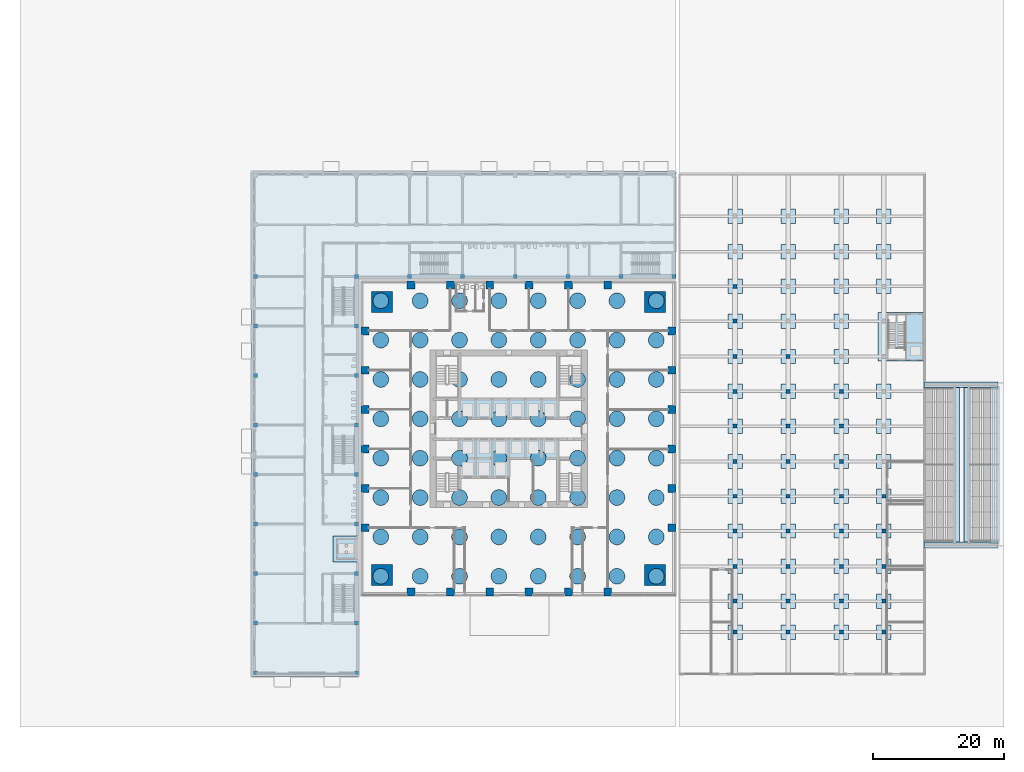
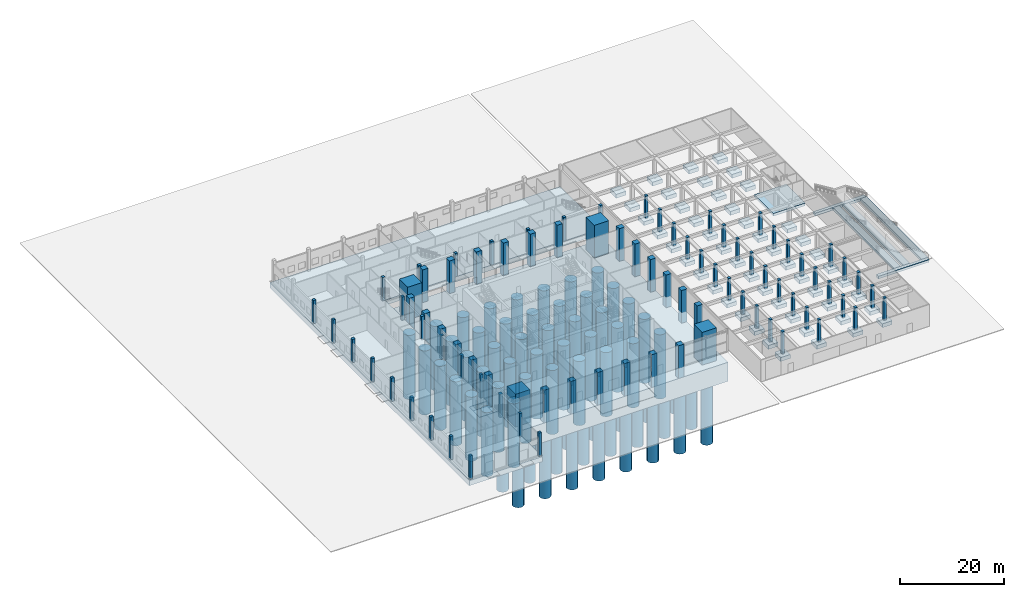
# One storey, part 1 of 33: 85 columns, 64 piles, 59 footings.
"""IFC4 building model written with IfcOpenShell, lengths in metres."""

import ifcopenshell
import ifcopenshell.guid

model = None  # the IFC model being written
_history = None  # IfcOwnerHistory: only IFC2X3 demands one
_inside = {}  # id of a spatial element -> (the spatial element, [elements in it])
_under = {}  # id of a project, library or spatial element -> (it, [spatial elements below it])
_declared = {}  # id of a project -> (the project, [libraries it declares])
_typed = {}  # id of a type object -> (the type object, [elements of that type])
_made_of = {}  # id of a material, layer set ... -> (it, [elements and type objects made of it])


def new_model(schema):
    """Start an empty IFC model of exactly this schema.

    Asked for "IFC4X3", IfcOpenShell would pick the latest addendum, in which some entities
    have other attributes; the version numbers below select the first issue.
    IFC2X3 requires an IfcOwnerHistory on every rooted entity: one is made here for all.
    """
    global model, _history
    if schema == "IFC4X3":
        model = ifcopenshell.file(schema_version=(4, 3, 0, 0))
    else:
        model = ifcopenshell.file(schema=schema)
    _inside.clear()
    _under.clear()
    _declared.clear()
    _typed.clear()
    _made_of.clear()
    _history = None
    if model.schema == "IFC2X3":
        org = make("IfcOrganization", Name="unknown")
        user = make(
            "IfcPersonAndOrganization",
            ThePerson=make("IfcPerson", FamilyName="unknown"),
            TheOrganization=org,
        )
        app = make(
            "IfcApplication",
            ApplicationDeveloper=org,
            Version="unknown",
            ApplicationFullName="unknown",
            ApplicationIdentifier="unknown",
        )
        _history = make(
            "IfcOwnerHistory",
            OwningUser=user,
            OwningApplication=app,
            ChangeAction="ADDED",
            CreationDate=0,
        )
    return model


def make(cls, **values):
    """One entity of the class cls with the attributes given. An attribute that is None is left unset."""
    return model.create_entity(
        cls, **{name: value for name, value in values.items() if value is not None}
    )


def rooted(cls, **values):
    """An entity with a GlobalId (a new one), such as an element, a storey or a relation."""
    return make(cls, GlobalId=ifcopenshell.guid.new(), OwnerHistory=_history, **values)


def si_unit(unit_type, name, prefix=None):
    """IfcSIUnit, for example si_unit("LENGTHUNIT", "METRE", prefix="MILLI")."""
    return make("IfcSIUnit", UnitType=unit_type, Prefix=prefix, Name=name)


def assignment(units):
    """IfcUnitAssignment: the units of a project."""
    return None if units is None else make("IfcUnitAssignment", Units=units)


def point(xyz):
    """IfcCartesianPoint."""
    return None if xyz is None else make("IfcCartesianPoint", Coordinates=xyz)


def direction(xyz):
    """IfcDirection."""
    return None if xyz is None else make("IfcDirection", DirectionRatios=xyz)


def frame(location, z_axis=None, x_axis=None):
    """IfcAxis2Placement3D, a coordinate frame: its origin and axes. An axis left out is left unset."""
    return make(
        "IfcAxis2Placement3D",
        Location=point(location),
        Axis=direction(z_axis),
        RefDirection=direction(x_axis),
    )


def frame_2d(location, x_axis=None):
    """IfcAxis2Placement2D, a coordinate frame in the plane: its origin and x axis."""
    return make(
        "IfcAxis2Placement2D", Location=point(location), RefDirection=direction(x_axis)
    )


def origin():
    """The frame at (0, 0, 0) with its axes left unset."""
    return frame((0.0, 0.0, 0.0))


def origin_2d():
    """The frame at (0, 0) in the plane with its x axis left unset."""
    return frame_2d((0.0, 0.0))


def place(relative_to, where):
    """IfcLocalPlacement: puts the frame where relative to a parent placement (None: the world)."""
    return make(
        "IfcLocalPlacement", PlacementRelTo=relative_to, RelativePlacement=where
    )


def context(
    kind, dimensions, precision=None, world=None, true_north=None, identifier=None
):
    """IfcGeometricRepresentationContext, for example the 3D "Model" context."""
    return make(
        "IfcGeometricRepresentationContext",
        ContextIdentifier=identifier,
        ContextType=kind,
        CoordinateSpaceDimension=dimensions,
        Precision=precision,
        WorldCoordinateSystem=world,
        TrueNorth=true_north,
    )


def subcontext(parent, identifier, kind, view, scale=None):
    """IfcGeometricRepresentationSubContext, for example "Body" below "Model"."""
    return make(
        "IfcGeometricRepresentationSubContext",
        ContextIdentifier=identifier,
        ContextType=kind,
        ParentContext=parent,
        TargetScale=scale,
        TargetView=view,
    )


def project(units=None, contexts=None):
    """IfcProject with its units and contexts."""
    return rooted(
        "IfcProject",
        Name="project",
        RepresentationContexts=contexts,
        UnitsInContext=assignment(units),
    )


def spatial(cls, under=None, at=None, **own):
    """A site, building, storey or space (cls), placed at a placement, below another one or the project."""
    s = rooted(cls, ObjectPlacement=at, **own)
    if under is not None:
        _under.setdefault(under.id(), (under, []))[1].append(s)
    return s


def polyline(points):
    """IfcPolyline through the points."""
    return make("IfcPolyline", Points=[point(p) for p in points])


def profile(cls, at=None, kind="AREA", **sizes):
    """A parametric profile (cls). Its sizes go by their IFC names, for example OverallWidth=200.0."""
    return make(cls, ProfileType=kind, Position=at, **sizes)


def rectangle(**sizes):
    """IfcRectangleProfileDef."""
    return profile("IfcRectangleProfileDef", **sizes)


def circle(**sizes):
    """IfcCircleProfileDef."""
    return profile("IfcCircleProfileDef", **sizes)


def outline(outer, holes=None, kind="AREA"):
    """IfcArbitraryClosedProfileDef: a profile drawn as a closed curve; with holes, ...WithVoids."""
    if holes is None:
        return make("IfcArbitraryClosedProfileDef", ProfileType=kind, OuterCurve=outer)
    return make(
        "IfcArbitraryProfileDefWithVoids",
        ProfileType=kind,
        OuterCurve=outer,
        InnerCurves=holes,
    )


def extrude(swept, where, along, depth):
    """IfcExtrudedAreaSolid: the profile swept, set in the frame where, extruded along a direction by depth."""
    return make(
        "IfcExtrudedAreaSolid",
        SweptArea=swept,
        Position=where,
        ExtrudedDirection=direction(along),
        Depth=depth,
    )


def shape(context_of_items, identifier, shape_type, items):
    """IfcShapeRepresentation: the items that make up one representation, for example the "Body"."""
    return make(
        "IfcShapeRepresentation",
        ContextOfItems=context_of_items,
        RepresentationIdentifier=identifier,
        RepresentationType=shape_type,
        Items=items,
    )


def material(Name=None, Category=None):
    """IfcMaterial."""
    return make("IfcMaterial", Name=Name, Category=Category)


def layer(
    of_material, thickness, ventilated=None, Name=None, Category=None, Priority=None
):
    """IfcMaterialLayer: one layer of a wall or slab, of a material (None: an air gap)."""
    return make(
        "IfcMaterialLayer",
        Material=of_material,
        LayerThickness=thickness,
        IsVentilated=ventilated,
        Name=Name,
        Category=Category,
        Priority=Priority,
    )


def layer_set(layers, Name=None):
    """IfcMaterialLayerSet."""
    return make("IfcMaterialLayerSet", MaterialLayers=layers, LayerSetName=Name)


def material_profile(
    of_material, cross_section, Name=None, Category=None, Priority=None
):
    """IfcMaterialProfile: a cross section and its material."""
    return make(
        "IfcMaterialProfile",
        Name=Name,
        Material=of_material,
        Profile=cross_section,
        Priority=Priority,
        Category=Category,
    )


def profile_set(profiles, Name=None, composite=None):
    """IfcMaterialProfileSet."""
    return make(
        "IfcMaterialProfileSet",
        Name=Name,
        MaterialProfiles=profiles,
        CompositeProfile=composite,
    )


def made_of(thing, what):
    """Note that an element or type object is made of a material, layer set ...; save() writes the relation."""
    if what is not None:
        _made_of.setdefault(what.id(), (what, []))[1].append(thing)
    return thing


def type_object(cls, material=None, **own):
    """A type object (cls), such as IfcWallType, which elements share."""
    return made_of(rooted(cls, **own), material)


def element(
    cls,
    number,
    at=None,
    inside=None,
    cuts=None,
    type_object=None,
    material=None,
    context=None,
    identifier="Body",
    shape_type=None,
    held_by="IfcProductDefinitionShape",
    body=None,
    shapes=None,
    **own,
):
    """One element of the class cls, such as IfcWall. Its Tag is "e" and its number.

    at: its placement. inside: the storey or other place that contains it. cuts: it is an
    opening in that element (IfcRelVoidsElement). A single representation is given by context,
    identifier, shape_type and body (its items); several are given by shapes. held_by: the class
    of the entity that holds the representations. save() writes the other relations.
    """
    e = rooted(cls, Tag="e%d" % number, ObjectPlacement=at, **own)
    if body is not None:
        shapes = [shape(context, identifier, shape_type, body)]
    if shapes is not None:
        e.Representation = make(held_by, Representations=shapes)
    if inside is not None:
        _inside.setdefault(inside.id(), (inside, []))[1].append(e)
    if cuts is not None:
        rooted(
            "IfcRelVoidsElement", RelatingBuildingElement=cuts, RelatedOpeningElement=e
        )
    if type_object is not None:
        _typed.setdefault(type_object.id(), (type_object, []))[1].append(e)
    return made_of(e, material)


def aggregate(whole, parts):
    """IfcRelAggregates: a whole, such as a stair, and the parts it consists of."""
    return rooted("IfcRelAggregates", RelatingObject=whole, RelatedObjects=parts)


def save(model, path):
    """Write the relations noted so far, then the file.

    IfcRelAggregates (storeys below a building ...), IfcRelContainedInSpatialStructure (elements
    in a storey), IfcRelDefinesByType, IfcRelAssociatesMaterial and IfcRelDeclares: one each for
    every whole, place, type object, material and project.
    """
    for whole, parts in _under.values():
        aggregate(whole, parts)
    for where, things in _inside.values():
        rooted(
            "IfcRelContainedInSpatialStructure",
            RelatedElements=things,
            RelatingStructure=where,
        )
    for kind, things in _typed.values():
        rooted("IfcRelDefinesByType", RelatedObjects=things, RelatingType=kind)
    for what, things in _made_of.values():
        rooted("IfcRelAssociatesMaterial", RelatedObjects=things, RelatingMaterial=what)
    for by, libraries in _declared.values():
        rooted("IfcRelDeclares", RelatingContext=by, RelatedDefinitions=libraries)
    model.write(path)


model = new_model("IFC4")

# Units and contexts
model_context = context("Model", 3, precision=1e-05, world=origin(), true_north=direction((0.0, 1.0)))
body_context = subcontext(model_context, "Body", "Model", "MODEL_VIEW")
ifc_project = project(units=[si_unit("LENGTHUNIT", "METRE"), si_unit("AREAUNIT", "SQUARE_METRE"), si_unit("VOLUMEUNIT", "CUBIC_METRE"), si_unit("PLANEANGLEUNIT", "RADIAN"), si_unit("MASSUNIT", "GRAM", prefix="KILO")], contexts=[model_context])

# Site, building, storey
site_placement = place(None, origin())
site = spatial("IfcSite", under=ifc_project, at=site_placement, CompositionType="ELEMENT")
building_placement = place(site_placement, origin())
building = spatial("IfcBuilding", under=site, at=building_placement, Name="Amberfall Residences", CompositionType="ELEMENT")
storey_placement = place(building_placement, origin())
storey = spatial("IfcBuildingStorey", under=building, at=storey_placement, Name="L00", CompositionType="ELEMENT", Elevation=0.0)

# Piles
ifc_material_1 = material(Name="Concrete C45", Category="concrete")
ifc_material_profile_1 = material_profile(ifc_material_1, circle(Radius=1.199951171875, at=origin_2d()), Name="Bored pile 2400 C45")
ifc_profile_set_1 = profile_set([ifc_material_profile_1], Name="Concrete C45")
pile_type = type_object("IfcPileType", Name="Bored pile 2400 C45", PredefinedType="BORED", material=ifc_profile_set_1)
for number, where, z_axis, x_axis, name in (
    (1, (55.0, 23.0, -6.89990234375), (0.0, 0.0, -1.0), (1.0, 0.0, 0.0), "Bored pile P1"),
    (2, (55.0, 29.0, -6.89990234375), (0.0, 0.0, -1.0), (1.0, 0.0, 0.0), "Bored pile P2"),
    (3, (55.0, 35.0, -6.89990234375), (0.0, 0.0, -1.0), (1.0, 0.0, 0.0), "Bored pile P3"),
    (4, (55.0, 41.0, -6.89990234375), (0.0, 0.0, -1.0), (1.0, 0.0, 0.0), "Bored pile P4"),
    (5, (55.0, 47.0, -6.89990234375), (0.0, 0.0, -1.0), (1.0, 0.0, 0.0), "Bored pile P5"),
    (6, (55.0, 53.0, -6.89990234375), (0.0, 0.0, -1.0), (1.0, 0.0, 0.0), "Bored pile P6"),
    (7, (55.0, 59.0, -6.89990234375), (0.0, 0.0, -1.0), (1.0, 0.0, 0.0), "Bored pile P7"),
    (8, (55.0, 65.0, -6.89990234375), (0.0, 0.0, -1.0), (1.0, 0.0, 0.0), "Bored pile P8"),
    (9, (61.0, 23.0, -6.89990234375), (0.0, 0.0, -1.0), (1.0, 0.0, 0.0), "Bored pile P9"),
    (10, (61.0, 29.0, -6.89990234375), (0.0, 0.0, -1.0), (1.0, 0.0, 0.0), "Bored pile P10"),
    (11, (61.0, 35.0, -6.89990234375), (0.0, 0.0, -1.0), (1.0, 0.0, 0.0), "Bored pile P11"),
    (12, (61.0, 41.0, -6.89990234375), (0.0, 0.0, -1.0), (1.0, 0.0, 0.0), "Bored pile P12"),
    (13, (61.0, 47.0, -6.89990234375), (0.0, 0.0, -1.0), (1.0, 0.0, 0.0), "Bored pile P13"),
    (14, (61.0, 53.0, -6.89990234375), (0.0, 0.0, -1.0), (1.0, 0.0, 0.0), "Bored pile P14"),
    (15, (61.0, 59.0, -6.89990234375), (0.0, 0.0, -1.0), (1.0, 0.0, 0.0), "Bored pile P15"),
    (16, (61.0, 65.0, -6.89990234375), (0.0, 0.0, -1.0), (1.0, 0.0, 0.0), "Bored pile P16"),
    (17, (67.0, 23.0, -6.89990234375), (0.0, 0.0, -1.0), (1.0, 0.0, 0.0), "Bored pile P17"),
    (18, (67.0, 29.0, -6.89990234375), (0.0, 0.0, -1.0), (1.0, 0.0, 0.0), "Bored pile P18"),
    (19, (67.0, 35.0, -6.89990234375), (0.0, 0.0, -1.0), (1.0, 0.0, 0.0), "Bored pile P19"),
    (20, (67.0, 41.0, -6.89990234375), (0.0, 0.0, -1.0), (1.0, 0.0, 0.0), "Bored pile P20"),
    (21, (67.0, 47.0, -6.89990234375), (0.0, 0.0, -1.0), (1.0, 0.0, 0.0), "Bored pile P21"),
    (22, (67.0, 53.0, -6.89990234375), (0.0, 0.0, -1.0), (1.0, 0.0, 0.0), "Bored pile P22"),
    (23, (67.0, 59.0, -6.89990234375), (0.0, 0.0, -1.0), (1.0, 0.0, 0.0), "Bored pile P23"),
    (24, (67.0, 65.0, -6.89990234375), (0.0, 0.0, -1.0), (1.0, 0.0, 0.0), "Bored pile P24"),
    (25, (73.0, 23.0, -6.89990234375), (0.0, 0.0, -1.0), (1.0, 0.0, 0.0), "Bored pile P25"),
    (26, (73.0, 29.0, -6.89990234375), (0.0, 0.0, -1.0), (1.0, 0.0, 0.0), "Bored pile P26"),
    (27, (73.0, 35.0, -6.89990234375), (0.0, 0.0, -1.0), (1.0, 0.0, 0.0), "Bored pile P27"),
    (28, (73.0, 41.0, -6.89990234375), (0.0, 0.0, -1.0), (1.0, 0.0, 0.0), "Bored pile P28"),
    (29, (73.0, 47.0, -6.89990234375), (0.0, 0.0, -1.0), (1.0, 0.0, 0.0), "Bored pile P29"),
    (30, (73.0, 53.0, -6.89990234375), (0.0, 0.0, -1.0), (1.0, 0.0, 0.0), "Bored pile P30"),
    (31, (73.0, 59.0, -6.89990234375), (0.0, 0.0, -1.0), (1.0, 0.0, 0.0), "Bored pile P31"),
    (32, (73.0, 65.0, -6.89990234375), (0.0, 0.0, -1.0), (1.0, 0.0, 0.0), "Bored pile P32"),
    (33, (79.0, 23.0, -6.89990234375), (0.0, 0.0, -1.0), (1.0, 0.0, 0.0), "Bored pile P33"),
    (34, (79.0, 29.0, -6.89990234375), (0.0, 0.0, -1.0), (1.0, 0.0, 0.0), "Bored pile P34"),
    (35, (79.0, 35.0, -6.89990234375), (0.0, 0.0, -1.0), (1.0, 0.0, 0.0), "Bored pile P35"),
    (36, (79.0, 41.0, -6.89990234375), (0.0, 0.0, -1.0), (1.0, 0.0, 0.0), "Bored pile P36"),
    (37, (79.0, 47.0, -6.89990234375), (0.0, 0.0, -1.0), (1.0, 0.0, 0.0), "Bored pile P37"),
    (38, (79.0, 53.0, -6.89990234375), (0.0, 0.0, -1.0), (1.0, 0.0, 0.0), "Bored pile P38"),
    (39, (79.0, 59.0, -6.89990234375), (0.0, 0.0, -1.0), (1.0, 0.0, 0.0), "Bored pile P39"),
    (40, (79.0, 65.0, -6.89990234375), (0.0, 0.0, -1.0), (1.0, 0.0, 0.0), "Bored pile P40"),
    (41, (85.0, 23.0, -6.89990234375), (0.0, 0.0, -1.0), (1.0, 0.0, 0.0), "Bored pile P41"),
    (42, (85.0, 29.0, -6.89990234375), (0.0, 0.0, -1.0), (1.0, 0.0, 0.0), "Bored pile P42"),
    (43, (85.0, 35.0, -6.89990234375), (0.0, 0.0, -1.0), (1.0, 0.0, 0.0), "Bored pile P43"),
    (44, (85.0, 41.0, -6.89990234375), (0.0, 0.0, -1.0), (1.0, 0.0, 0.0), "Bored pile P44"),
    (45, (85.0, 47.0, -6.89990234375), (0.0, 0.0, -1.0), (1.0, 0.0, 0.0), "Bored pile P45"),
    (46, (85.0, 53.0, -6.89990234375), (0.0, 0.0, -1.0), (1.0, 0.0, 0.0), "Bored pile P46"),
    (47, (85.0, 59.0, -6.89990234375), (0.0, 0.0, -1.0), (1.0, 0.0, 0.0), "Bored pile P47"),
    (48, (85.0, 65.0, -6.89990234375), (0.0, 0.0, -1.0), (1.0, 0.0, 0.0), "Bored pile P48"),
    (49, (91.0, 23.0, -6.89990234375), (0.0, 0.0, -1.0), (1.0, 0.0, 0.0), "Bored pile P49"),
    (50, (91.0, 29.0, -6.89990234375), (0.0, 0.0, -1.0), (1.0, 0.0, 0.0), "Bored pile P50"),
    (51, (91.0, 35.0, -6.89990234375), (0.0, 0.0, -1.0), (1.0, 0.0, 0.0), "Bored pile P51"),
    (52, (91.0, 41.0, -6.89990234375), (0.0, 0.0, -1.0), (1.0, 0.0, 0.0), "Bored pile P52"),
    (53, (91.0, 47.0, -6.89990234375), (0.0, 0.0, -1.0), (1.0, 0.0, 0.0), "Bored pile P53"),
    (54, (91.0, 53.0, -6.89990234375), (0.0, 0.0, -1.0), (1.0, 0.0, 0.0), "Bored pile P54"),
    (55, (91.0, 59.0, -6.89990234375), (0.0, 0.0, -1.0), (1.0, 0.0, 0.0), "Bored pile P55"),
    (56, (91.0, 65.0, -6.89990234375), (0.0, 0.0, -1.0), (1.0, 0.0, 0.0), "Bored pile P56"),
    (57, (97.0, 23.0, -6.89990234375), (0.0, 0.0, -1.0), (1.0, 0.0, 0.0), "Bored pile P57"),
    (58, (97.0, 29.0, -6.89990234375), (0.0, 0.0, -1.0), (1.0, 0.0, 0.0), "Bored pile P58"),
    (59, (97.0, 35.0, -6.89990234375), (0.0, 0.0, -1.0), (1.0, 0.0, 0.0), "Bored pile P59"),
    (60, (97.0, 41.0, -6.89990234375), (0.0, 0.0, -1.0), (1.0, 0.0, 0.0), "Bored pile P60"),
    (61, (97.0, 47.0, -6.89990234375), (0.0, 0.0, -1.0), (1.0, 0.0, 0.0), "Bored pile P61"),
    (62, (97.0, 53.0, -6.89990234375), (0.0, 0.0, -1.0), (1.0, 0.0, 0.0), "Bored pile P62"),
    (63, (97.0, 59.0, -6.89990234375), (0.0, 0.0, -1.0), (1.0, 0.0, 0.0), "Bored pile P63"),
    (64, (97.0, 65.0, -6.89990234375), (0.0, 0.0, -1.0), (1.0, 0.0, 0.0), "Bored pile P64"),
):
    element("IfcPile", number, at=place(storey_placement, frame(where, z_axis=z_axis, x_axis=x_axis)), inside=storey, type_object=pile_type, Name=name, PredefinedType="BORED", context=body_context, shape_type="SweptSolid", body=[
        extrude(circle(Radius=1.199951171875, at=origin_2d()), origin(), (0.0, 0.0, 1.0), 15.10009765625),
    ])

# Footings
ifc_material_2 = material(Name="Concrete C40", Category="concrete")
footing_type_1 = type_object("IfcFootingType", Name="Car park pad 2200x2200x900", PredefinedType="PAD_FOOTING", material=ifc_material_2)
for number, where, z_axis, x_axis, name in (
    (65, (109.0, 14.5, -1.099853515625), (0.0, 0.0, 1.0), (1.0, 0.0, 0.0), "Car park pad 2200x2200x900 L00 001"),
    (66, (109.0, 19.199951171875, -1.099853515625), (0.0, 0.0, 1.0), (1.0, 0.0, 0.0), "Car park pad 2200x2200x900 L00 002"),
    (67, (109.0, 24.5, -1.099853515625), (0.0, 0.0, 1.0), (1.0, 0.0, 0.0), "Car park pad 2200x2200x900 L00 003"),
    (68, (109.0, 29.89990234375, -1.099853515625), (0.0, 0.0, 1.0), (1.0, 0.0, 0.0), "Car park pad 2200x2200x900 L00 004"),
    (69, (109.0, 35.199951171875, -1.099853515625), (0.0, 0.0, 1.0), (1.0, 0.0, 0.0), "Car park pad 2200x2200x900 L00 005"),
    (70, (109.0, 40.5, -1.099853515625), (0.0, 0.0, 1.0), (1.0, 0.0, 0.0), "Car park pad 2200x2200x900 L00 006"),
    (71, (109.0, 45.89990234375, -1.099853515625), (0.0, 0.0, 1.0), (1.0, 0.0, 0.0), "Car park pad 2200x2200x900 L00 007"),
    (72, (109.0, 51.199951171875, -1.099853515625), (0.0, 0.0, 1.0), (1.0, 0.0, 0.0), "Car park pad 2200x2200x900 L00 008"),
    (73, (109.0, 56.5, -1.099853515625), (0.0, 0.0, 1.0), (1.0, 0.0, 0.0), "Car park pad 2200x2200x900 L00 009"),
    (74, (109.0, 61.89990234375, -1.099853515625), (0.0, 0.0, 1.0), (1.0, 0.0, 0.0), "Car park pad 2200x2200x900 L00 010"),
    (75, (109.0, 67.199951171875, -1.099853515625), (0.0, 0.0, 1.0), (1.0, 0.0, 0.0), "Car park pad 2200x2200x900 L00 011"),
    (76, (109.0, 72.5, -1.099853515625), (0.0, 0.0, 1.0), (1.0, 0.0, 0.0), "Car park pad 2200x2200x900 L00 012"),
    (77, (109.0, 77.89990234375, -1.099853515625), (0.0, 0.0, 1.0), (1.0, 0.0, 0.0), "Car park pad 2200x2200x900 L00 013"),
    (78, (117.10009765625, 14.5, -1.099853515625), (0.0, 0.0, 1.0), (1.0, 0.0, 0.0), "Car park pad 2200x2200x900 L00 014"),
    (79, (117.10009765625, 19.199951171875, -1.099853515625), (0.0, 0.0, 1.0), (1.0, 0.0, 0.0), "Car park pad 2200x2200x900 L00 015"),
    (80, (117.10009765625, 24.5, -1.099853515625), (0.0, 0.0, 1.0), (1.0, 0.0, 0.0), "Car park pad 2200x2200x900 L00 016"),
    (81, (117.10009765625, 29.89990234375, -1.099853515625), (0.0, 0.0, 1.0), (1.0, 0.0, 0.0), "Car park pad 2200x2200x900 L00 017"),
    (82, (117.10009765625, 35.199951171875, -1.099853515625), (0.0, 0.0, 1.0), (1.0, 0.0, 0.0), "Car park pad 2200x2200x900 L00 018"),
    (83, (117.10009765625, 40.5, -1.099853515625), (0.0, 0.0, 1.0), (1.0, 0.0, 0.0), "Car park pad 2200x2200x900 L00 019"),
    (84, (117.10009765625, 45.89990234375, -1.099853515625), (0.0, 0.0, 1.0), (1.0, 0.0, 0.0), "Car park pad 2200x2200x900 L00 020"),
    (85, (117.10009765625, 51.199951171875, -1.099853515625), (0.0, 0.0, 1.0), (1.0, 0.0, 0.0), "Car park pad 2200x2200x900 L00 021"),
    (86, (117.10009765625, 56.5, -1.099853515625), (0.0, 0.0, 1.0), (1.0, 0.0, 0.0), "Car park pad 2200x2200x900 L00 022"),
    (87, (117.10009765625, 61.89990234375, -1.099853515625), (0.0, 0.0, 1.0), (1.0, 0.0, 0.0), "Car park pad 2200x2200x900 L00 023"),
    (88, (117.10009765625, 67.199951171875, -1.099853515625), (0.0, 0.0, 1.0), (1.0, 0.0, 0.0), "Car park pad 2200x2200x900 L00 024"),
    (89, (117.10009765625, 72.5, -1.099853515625), (0.0, 0.0, 1.0), (1.0, 0.0, 0.0), "Car park pad 2200x2200x900 L00 025"),
    (90, (117.10009765625, 77.89990234375, -1.099853515625), (0.0, 0.0, 1.0), (1.0, 0.0, 0.0), "Car park pad 2200x2200x900 L00 026"),
    (91, (125.199951171875, 14.5, -1.099853515625), (0.0, 0.0, 1.0), (1.0, 0.0, 0.0), "Car park pad 2200x2200x900 L00 027"),
    (92, (125.199951171875, 19.199951171875, -1.099853515625), (0.0, 0.0, 1.0), (1.0, 0.0, 0.0), "Car park pad 2200x2200x900 L00 028"),
    (93, (125.199951171875, 24.5, -1.099853515625), (0.0, 0.0, 1.0), (1.0, 0.0, 0.0), "Car park pad 2200x2200x900 L00 029"),
    (94, (125.199951171875, 29.89990234375, -1.099853515625), (0.0, 0.0, 1.0), (1.0, 0.0, 0.0), "Car park pad 2200x2200x900 L00 030"),
    (95, (125.199951171875, 35.199951171875, -1.099853515625), (0.0, 0.0, 1.0), (1.0, 0.0, 0.0), "Car park pad 2200x2200x900 L00 031"),
    (96, (125.199951171875, 40.5, -1.099853515625), (0.0, 0.0, 1.0), (1.0, 0.0, 0.0), "Car park pad 2200x2200x900 L00 032"),
    (97, (125.199951171875, 45.89990234375, -1.099853515625), (0.0, 0.0, 1.0), (1.0, 0.0, 0.0), "Car park pad 2200x2200x900 L00 033"),
    (98, (125.199951171875, 51.199951171875, -1.099853515625), (0.0, 0.0, 1.0), (1.0, 0.0, 0.0), "Car park pad 2200x2200x900 L00 034"),
    (99, (125.199951171875, 56.5, -1.099853515625), (0.0, 0.0, 1.0), (1.0, 0.0, 0.0), "Car park pad 2200x2200x900 L00 035"),
    (100, (125.199951171875, 61.89990234375, -1.099853515625), (0.0, 0.0, 1.0), (1.0, 0.0, 0.0), "Car park pad 2200x2200x900 L00 036"),
    (101, (125.199951171875, 67.199951171875, -1.099853515625), (0.0, 0.0, 1.0), (1.0, 0.0, 0.0), "Car park pad 2200x2200x900 L00 037"),
    (102, (125.199951171875, 72.5, -1.099853515625), (0.0, 0.0, 1.0), (1.0, 0.0, 0.0), "Car park pad 2200x2200x900 L00 038"),
    (103, (125.199951171875, 77.89990234375, -1.099853515625), (0.0, 0.0, 1.0), (1.0, 0.0, 0.0), "Car park pad 2200x2200x900 L00 039"),
    (104, (131.699951171875, 14.5, -1.099853515625), (0.0, 0.0, 1.0), (1.0, 0.0, 0.0), "Car park pad 2200x2200x900 L00 040"),
    (105, (131.699951171875, 19.199951171875, -1.099853515625), (0.0, 0.0, 1.0), (1.0, 0.0, 0.0), "Car park pad 2200x2200x900 L00 041"),
    (106, (131.699951171875, 24.5, -1.099853515625), (0.0, 0.0, 1.0), (1.0, 0.0, 0.0), "Car park pad 2200x2200x900 L00 042"),
    (107, (131.699951171875, 29.89990234375, -1.099853515625), (0.0, 0.0, 1.0), (1.0, 0.0, 0.0), "Car park pad 2200x2200x900 L00 043"),
    (108, (131.699951171875, 35.199951171875, -1.099853515625), (0.0, 0.0, 1.0), (1.0, 0.0, 0.0), "Car park pad 2200x2200x900 L00 044"),
    (109, (131.699951171875, 40.5, -1.099853515625), (0.0, 0.0, 1.0), (1.0, 0.0, 0.0), "Car park pad 2200x2200x900 L00 045"),
    (110, (131.699951171875, 45.89990234375, -1.099853515625), (0.0, 0.0, 1.0), (1.0, 0.0, 0.0), "Car park pad 2200x2200x900 L00 046"),
    (111, (131.699951171875, 51.199951171875, -1.099853515625), (0.0, 0.0, 1.0), (1.0, 0.0, 0.0), "Car park pad 2200x2200x900 L00 047"),
    (112, (131.699951171875, 67.199951171875, -1.099853515625), (0.0, 0.0, 1.0), (1.0, 0.0, 0.0), "Car park pad 2200x2200x900 L00 048"),
    (113, (131.699951171875, 72.5, -1.099853515625), (0.0, 0.0, 1.0), (1.0, 0.0, 0.0), "Car park pad 2200x2200x900 L00 049"),
    (114, (131.699951171875, 77.89990234375, -1.099853515625), (0.0, 0.0, 1.0), (1.0, 0.0, 0.0), "Car park pad 2200x2200x900 L00 050"),
):
    element("IfcFooting", number, at=place(storey_placement, frame(where, z_axis=z_axis, x_axis=x_axis)), inside=storey, type_object=footing_type_1, Name=name, PredefinedType="PAD_FOOTING", context=body_context, shape_type="SweptSolid", body=[
        extrude(rectangle(XDim=2.199951171875, YDim=2.199951171875, at=origin_2d()), origin(), (0.0, 0.0, 1.0), 0.89990234375),
    ])
footing_type_2 = type_object("IfcFootingType", Name="Deck stair cheek footing 800", PredefinedType="STRIP_FOOTING", material=ifc_material_2)
for number, where, z_axis, x_axis, name in (
    (115, (143.449951171875, 27.800048828125, -0.60009765625), (0.0, 0.0, 1.0), (1.0, 0.0, 0.0), "Deck stair cheek wall footing S"),
    (116, (143.449951171875, 52.199951171875, -0.60009765625), (0.0, 0.0, 1.0), (1.0, 0.0, 0.0), "Deck stair cheek wall footing N"),
):
    element("IfcFooting", number, at=place(storey_placement, frame(where, z_axis=z_axis, x_axis=x_axis)), inside=storey, type_object=footing_type_2, Name=name, PredefinedType="STRIP_FOOTING", context=body_context, shape_type="SweptSolid", body=[
        extrude(rectangle(XDim=11.300048828125, YDim=0.800048828125, at=origin_2d()), origin(), (0.0, 0.0, 1.0), 0.60009765625),
    ])
footing_type_3 = type_object("IfcFootingType", Name="Deck stair strip footing 1400", PredefinedType="STRIP_FOOTING", material=ifc_material_2)
for number, where, z_axis, x_axis, name in (
    (117, (148.60009765625, 40.0, -0.60009765625), (0.0, 0.0, 1.0), (1.0, 0.0, 0.0), "Deck stair foot footing"),
    (118, (144.60009765625, 40.0, -0.60009765625), (0.0, 0.0, 1.0), (1.0, 0.0, 0.0), "Deck stair terrace footing"),
    (119, (142.5, 40.0, -0.60009765625), (0.0, 0.0, 1.0), (1.0, 0.0, 0.0), "Deck stair terrace footing"),
):
    element("IfcFooting", number, at=place(storey_placement, frame(where, z_axis=z_axis, x_axis=x_axis)), inside=storey, type_object=footing_type_3, Name=name, PredefinedType="STRIP_FOOTING", context=body_context, shape_type="SweptSolid", body=[
        extrude(rectangle(XDim=1.39990234375, YDim=24.0, at=origin_2d()), origin(), (0.0, 0.0, 1.0), 0.60009765625),
    ])
footing_type_4 = type_object("IfcFootingType", Name="Garden core raft 7100x7400x600", PredefinedType="PAD_FOOTING", material=ifc_material_2)
footing_1_placement = place(storey_placement, frame((134.35009765625, 59.5, -0.60009765625), z_axis=(0.0, 0.0, 1.0), x_axis=(1.0, 0.0, 0.0)))
element("IfcFooting", 120, at=footing_1_placement, inside=storey, type_object=footing_type_4, Name="Garden stair and lift core raft", PredefinedType="PAD_FOOTING", context=body_context, shape_type="SweptSolid", body=[
    extrude(rectangle(XDim=7.10009765625, YDim=7.39990234375, at=origin_2d()), origin(), (0.0, 0.0, 1.0), 0.60009765625),
])
ifc_layer_1 = layer(ifc_material_1, 4.5)
ifc_layer_set_1 = layer_set([ifc_layer_1], Name="Pile raft 4500 C45")
footing_type_5 = type_object("IfcFootingType", Name="Pile raft 4500 C45", PredefinedType="PILE_CAP", material=ifc_layer_set_1)
footing_2_placement = place(storey_placement, frame((0.0, 0.0, -7.0)))
element("IfcFooting", 121, at=footing_2_placement, inside=storey, type_object=footing_type_5, Name="Pile raft R1", PredefinedType="PILE_CAP", context=body_context, shape_type="SweptSolid", body=[
    extrude(outline(polyline([(52.0, 20.0), (100.0, 20.0), (100.0, 68.0), (52.0, 68.0), (52.0, 20.0)])), origin(), (0.0, 0.0, 1.0), 4.5),
])
footing_type_6 = type_object("IfcFootingType", Name="School lift pit raft 4000 x 3900 x 1800", PredefinedType="PILE_CAP", material=ifc_material_2)
footing_3_placement = place(storey_placement, frame((0.0, 0.0, -3.300048828125)))
element("IfcFooting", 122, at=footing_3_placement, inside=storey, type_object=footing_type_6, Name="School lift pit raft", PredefinedType="PILE_CAP", context=body_context, shape_type="SweptSolid", body=[
    extrude(outline(polyline([(47.699951171875, 25.175048828125), (51.60009765625, 25.175048828125), (51.60009765625, 29.175048828125), (47.699951171875, 29.175048828125), (47.699951171875, 25.175048828125)])), origin(), (0.0, 0.0, 1.0), 1.800048828125),
])
ifc_layer_2 = layer(ifc_material_2, 1.199951171875)
ifc_layer_set_2 = layer_set([ifc_layer_2], Name="School raft 1200 C40")
footing_type_7 = type_object("IfcFootingType", Name="School raft 1200 C40", PredefinedType="PILE_CAP", material=ifc_layer_set_2)
footing_4_placement = place(storey_placement, frame((0.0, 0.0, -1.5)))
element("IfcFooting", 123, at=footing_4_placement, inside=storey, type_object=footing_type_7, Name="School raft", PredefinedType="PILE_CAP", context=body_context, shape_type="SweptSolid", body=[
    extrude(outline(polyline([(35.300048828125, 7.699951171875), (51.60009765625, 7.699951171875), (51.60009765625, 25.175048828125), (47.699951171875, 25.175048828125), (47.699951171875, 29.175048828125), (51.60009765625, 29.175048828125), (51.60009765625, 68.39990234375), (100.0, 68.39990234375), (100.0, 84.699951171875), (51.60009765625, 84.699951171875), (35.300048828125, 84.699951171875), (35.300048828125, 7.699951171875)])), origin(), (0.0, 0.0, 1.0), 1.199951171875),
])

# Columns
ifc_material_3 = material(Name="Concrete C50", Category="concrete")
ifc_material_profile_2 = material_profile(ifc_material_3, rectangle(XDim=0.60009765625, YDim=0.60009765625, at=origin_2d()), Name="RC 600x600")
ifc_profile_set_2 = profile_set([ifc_material_profile_2], Name="Concrete C50")
column_type_1 = type_object("IfcColumnType", Name="Car park column 600 C50", PredefinedType="COLUMN", material=ifc_profile_set_2)
for number, where, z_axis, x_axis, name in (
    (124, (109.0, 14.5, -0.199951171875), (0.0, 0.0, 1.0), (1.0, 0.0, 0.0), "Car park column 600 C50 L00 001"),
    (125, (109.0, 19.199951171875, -0.199951171875), (0.0, 0.0, 1.0), (1.0, 0.0, 0.0), "Car park column 600 C50 L00 002"),
    (126, (109.0, 24.5, -0.199951171875), (0.0, 0.0, 1.0), (1.0, 0.0, 0.0), "Car park column 600 C50 L00 003"),
    (127, (109.0, 29.89990234375, -0.199951171875), (0.0, 0.0, 1.0), (1.0, 0.0, 0.0), "Car park column 600 C50 L00 004"),
    (128, (109.0, 35.199951171875, -0.199951171875), (0.0, 0.0, 1.0), (1.0, 0.0, 0.0), "Car park column 600 C50 L00 005"),
    (129, (109.0, 40.5, -0.199951171875), (0.0, 0.0, 1.0), (1.0, 0.0, 0.0), "Car park column 600 C50 L00 006"),
    (130, (109.0, 45.89990234375, -0.199951171875), (0.0, 0.0, 1.0), (1.0, 0.0, 0.0), "Car park column 600 C50 L00 007"),
    (131, (109.0, 51.199951171875, -0.199951171875), (0.0, 0.0, 1.0), (1.0, 0.0, 0.0), "Car park column 600 C50 L00 008"),
    (132, (109.0, 56.5, -0.199951171875), (0.0, 0.0, 1.0), (1.0, 0.0, 0.0), "Car park column 600 C50 L00 009"),
    (133, (109.0, 61.89990234375, -0.199951171875), (0.0, 0.0, 1.0), (1.0, 0.0, 0.0), "Car park column 600 C50 L00 010"),
    (134, (109.0, 67.199951171875, -0.199951171875), (0.0, 0.0, 1.0), (1.0, 0.0, 0.0), "Car park column 600 C50 L00 011"),
    (135, (117.10009765625, 14.5, -0.199951171875), (0.0, 0.0, 1.0), (1.0, 0.0, 0.0), "Car park column 600 C50 L00 014"),
    (136, (117.10009765625, 19.199951171875, -0.199951171875), (0.0, 0.0, 1.0), (1.0, 0.0, 0.0), "Car park column 600 C50 L00 015"),
    (137, (117.10009765625, 24.5, -0.199951171875), (0.0, 0.0, 1.0), (1.0, 0.0, 0.0), "Car park column 600 C50 L00 016"),
    (138, (117.10009765625, 29.89990234375, -0.199951171875), (0.0, 0.0, 1.0), (1.0, 0.0, 0.0), "Car park column 600 C50 L00 017"),
    (139, (117.10009765625, 35.199951171875, -0.199951171875), (0.0, 0.0, 1.0), (1.0, 0.0, 0.0), "Car park column 600 C50 L00 018"),
    (140, (117.10009765625, 40.5, -0.199951171875), (0.0, 0.0, 1.0), (1.0, 0.0, 0.0), "Car park column 600 C50 L00 019"),
    (141, (117.10009765625, 45.89990234375, -0.199951171875), (0.0, 0.0, 1.0), (1.0, 0.0, 0.0), "Car park column 600 C50 L00 020"),
    (142, (117.10009765625, 51.199951171875, -0.199951171875), (0.0, 0.0, 1.0), (1.0, 0.0, 0.0), "Car park column 600 C50 L00 021"),
    (143, (117.10009765625, 56.5, -0.199951171875), (0.0, 0.0, 1.0), (1.0, 0.0, 0.0), "Car park column 600 C50 L00 022"),
    (144, (125.199951171875, 14.5, -0.199951171875), (0.0, 0.0, 1.0), (1.0, 0.0, 0.0), "Car park column 600 C50 L00 027"),
    (145, (125.199951171875, 19.199951171875, -0.199951171875), (0.0, 0.0, 1.0), (1.0, 0.0, 0.0), "Car park column 600 C50 L00 028"),
    (146, (125.199951171875, 24.5, -0.199951171875), (0.0, 0.0, 1.0), (1.0, 0.0, 0.0), "Car park column 600 C50 L00 029"),
    (147, (125.199951171875, 29.89990234375, -0.199951171875), (0.0, 0.0, 1.0), (1.0, 0.0, 0.0), "Car park column 600 C50 L00 030"),
    (148, (125.199951171875, 35.199951171875, -0.199951171875), (0.0, 0.0, 1.0), (1.0, 0.0, 0.0), "Car park column 600 C50 L00 031"),
    (149, (125.199951171875, 40.5, -0.199951171875), (0.0, 0.0, 1.0), (1.0, 0.0, 0.0), "Car park column 600 C50 L00 032"),
    (150, (125.199951171875, 45.89990234375, -0.199951171875), (0.0, 0.0, 1.0), (1.0, 0.0, 0.0), "Car park column 600 C50 L00 033"),
    (151, (125.199951171875, 51.199951171875, -0.199951171875), (0.0, 0.0, 1.0), (1.0, 0.0, 0.0), "Car park column 600 C50 L00 034"),
    (152, (131.699951171875, 14.5, -0.199951171875), (0.0, 0.0, 1.0), (1.0, 0.0, 0.0), "Car park column 600 C50 L00 040"),
    (153, (131.699951171875, 19.199951171875, -0.199951171875), (0.0, 0.0, 1.0), (1.0, 0.0, 0.0), "Car park column 600 C50 L00 041"),
    (154, (131.699951171875, 24.5, -0.199951171875), (0.0, 0.0, 1.0), (1.0, 0.0, 0.0), "Car park column 600 C50 L00 042"),
    (155, (131.699951171875, 29.89990234375, -0.199951171875), (0.0, 0.0, 1.0), (1.0, 0.0, 0.0), "Car park column 600 C50 L00 043"),
    (156, (131.699951171875, 35.199951171875, -0.199951171875), (0.0, 0.0, 1.0), (1.0, 0.0, 0.0), "Car park column 600 C50 L00 044"),
):
    element("IfcColumn", number, at=place(storey_placement, frame(where, z_axis=z_axis, x_axis=x_axis)), inside=storey, type_object=column_type_1, Name=name, PredefinedType="COLUMN", context=body_context, shape_type="SweptSolid", body=[
        extrude(rectangle(XDim=0.60009765625, YDim=0.60009765625, at=origin_2d()), origin(), (0.0, 0.0, 1.0), 5.280029296875),
    ])
ifc_material_4 = material(Name="Concrete C80", Category="concrete")
ifc_material_profile_3 = material_profile(ifc_material_4, rectangle(XDim=1.199951171875, YDim=1.199951171875, at=origin_2d()), Name="Column 1200 x 1200 C80")
ifc_profile_set_3 = profile_set([ifc_material_profile_3], Name="Concrete C80")
column_type_2 = type_object("IfcColumnType", Name="Column 1200 x 1200 C80", PredefinedType="COLUMN", material=ifc_profile_set_3)
for number, where, z_axis, x_axis, name in (
    (157, (59.60009765625, 20.60009765625, -2.5), (0.0, 0.0, 1.0), (1.0, 0.0, 0.0), "Column C1 L00 S1"),
    (158, (65.60009765625, 20.60009765625, -2.5), (0.0, 0.0, 1.0), (1.0, 0.0, 0.0), "Column C1 L00 S2"),
    (159, (71.60009765625, 20.60009765625, -2.5), (0.0, 0.0, 1.0), (1.0, 0.0, 0.0), "Column C1 L00 S3"),
    (160, (77.60009765625, 20.60009765625, -2.5), (0.0, 0.0, 1.0), (1.0, 0.0, 0.0), "Column C1 L00 S4"),
    (161, (83.60009765625, 20.60009765625, -2.5), (0.0, 0.0, 1.0), (1.0, 0.0, 0.0), "Column C1 L00 S5"),
    (162, (89.60009765625, 20.60009765625, -2.5), (0.0, 0.0, 1.0), (1.0, 0.0, 0.0), "Column C1 L00 S6"),
    (163, (99.39990234375, 30.39990234375, -2.5), (0.0, 0.0, 1.0), (1.0, 0.0, 0.0), "Column C1 L00 E1"),
    (164, (99.39990234375, 36.39990234375, -2.5), (0.0, 0.0, 1.0), (1.0, 0.0, 0.0), "Column C1 L00 E2"),
    (165, (99.39990234375, 42.39990234375, -2.5), (0.0, 0.0, 1.0), (1.0, 0.0, 0.0), "Column C1 L00 E3"),
    (166, (99.39990234375, 48.39990234375, -2.5), (0.0, 0.0, 1.0), (1.0, 0.0, 0.0), "Column C1 L00 E4"),
    (167, (99.39990234375, 54.39990234375, -2.5), (0.0, 0.0, 1.0), (1.0, 0.0, 0.0), "Column C1 L00 E5"),
    (168, (99.39990234375, 60.39990234375, -2.5), (0.0, 0.0, 1.0), (1.0, 0.0, 0.0), "Column C1 L00 E6"),
    (169, (59.60009765625, 67.39990234375, -2.5), (0.0, 0.0, 1.0), (1.0, 0.0, 0.0), "Column C1 L00 N1"),
    (170, (65.60009765625, 67.39990234375, -2.5), (0.0, 0.0, 1.0), (1.0, 0.0, 0.0), "Column C1 L00 N2"),
    (171, (71.60009765625, 67.39990234375, -2.5), (0.0, 0.0, 1.0), (1.0, 0.0, 0.0), "Column C1 L00 N3"),
    (172, (77.60009765625, 67.39990234375, -2.5), (0.0, 0.0, 1.0), (1.0, 0.0, 0.0), "Column C1 L00 N4"),
    (173, (83.60009765625, 67.39990234375, -2.5), (0.0, 0.0, 1.0), (1.0, 0.0, 0.0), "Column C1 L00 N5"),
    (174, (89.60009765625, 67.39990234375, -2.5), (0.0, 0.0, 1.0), (1.0, 0.0, 0.0), "Column C1 L00 N6"),
    (175, (52.60009765625, 30.39990234375, -2.5), (0.0, 0.0, 1.0), (1.0, 0.0, 0.0), "Column C1 L00 W1"),
    (176, (52.60009765625, 36.39990234375, -2.5), (0.0, 0.0, 1.0), (1.0, 0.0, 0.0), "Column C1 L00 W2"),
    (177, (52.60009765625, 42.39990234375, -2.5), (0.0, 0.0, 1.0), (1.0, 0.0, 0.0), "Column C1 L00 W3"),
    (178, (52.60009765625, 48.39990234375, -2.5), (0.0, 0.0, 1.0), (1.0, 0.0, 0.0), "Column C1 L00 W4"),
    (179, (52.60009765625, 54.39990234375, -2.5), (0.0, 0.0, 1.0), (1.0, 0.0, 0.0), "Column C1 L00 W5"),
    (180, (52.60009765625, 60.39990234375, -2.5), (0.0, 0.0, 1.0), (1.0, 0.0, 0.0), "Column C1 L00 W6"),
):
    element("IfcColumn", number, at=place(storey_placement, frame(where, z_axis=z_axis, x_axis=x_axis)), inside=storey, type_object=column_type_2, Name=name, PredefinedType="COLUMN", context=body_context, shape_type="SweptSolid", body=[
        extrude(rectangle(XDim=1.199951171875, YDim=1.199951171875, at=origin_2d()), origin(), (0.0, 0.0, 1.0), 7.699951171875),
    ])
ifc_material_profile_4 = material_profile(ifc_material_4, rectangle(XDim=3.199951171875, YDim=3.199951171875, at=origin_2d()), Name="Mega column 3200 x 3200 C80")
ifc_profile_set_4 = profile_set([ifc_material_profile_4], Name="Concrete C80")
column_type_3 = type_object("IfcColumnType", Name="Mega column 3200 x 3200 C80", PredefinedType="COLUMN", material=ifc_profile_set_4)
for number, where, z_axis, x_axis, name in (
    (181, (55.199951171875, 23.199951171875, -2.5), (0.0, 0.0, 1.0), (1.0, 0.0, 0.0), "Mega column MC1 L00 SW"),
    (182, (96.800048828125, 23.199951171875, -2.5), (0.0, 0.0, 1.0), (1.0, 0.0, 0.0), "Mega column MC1 L00 SE"),
    (183, (96.800048828125, 64.800048828125, -2.5), (0.0, 0.0, 1.0), (1.0, 0.0, 0.0), "Mega column MC1 L00 NE"),
    (184, (55.199951171875, 64.800048828125, -2.5), (0.0, 0.0, 1.0), (1.0, 0.0, 0.0), "Mega column MC1 L00 NW"),
):
    element("IfcColumn", number, at=place(storey_placement, frame(where, z_axis=z_axis, x_axis=x_axis)), inside=storey, type_object=column_type_3, Name=name, PredefinedType="COLUMN", context=body_context, shape_type="SweptSolid", body=[
        extrude(rectangle(XDim=3.199951171875, YDim=3.199951171875, at=origin_2d()), origin(), (0.0, 0.0, 1.0), 7.699951171875),
    ])
ifc_material_profile_5 = material_profile(ifc_material_3, rectangle(XDim=0.60009765625, YDim=0.60009765625, at=origin_2d()), Name="School column 600 x 600 C50")
ifc_profile_set_5 = profile_set([ifc_material_profile_5], Name="Concrete C50")
column_type_4 = type_object("IfcColumnType", Name="School column 600 x 600 C50", PredefinedType="COLUMN", material=ifc_profile_set_5)
for number, where, z_axis, x_axis, name in (
    (185, (35.89990234375, 8.300048828125, -0.300048828125), (0.0, 0.0, 1.0), (1.0, 0.0, 0.0), "School column L00 01"),
    (186, (51.300048828125, 8.300048828125, -0.300048828125), (0.0, 0.0, 1.0), (1.0, 0.0, 0.0), "School column L00 02"),
    (187, (35.89990234375, 15.85009765625, -0.300048828125), (0.0, 0.0, 1.0), (1.0, 0.0, 0.0), "School column L00 03"),
    (188, (51.300048828125, 15.85009765625, -0.300048828125), (0.0, 0.0, 1.0), (1.0, 0.0, 0.0), "School column L00 04"),
    (189, (35.89990234375, 23.39990234375, -0.300048828125), (0.0, 0.0, 1.0), (1.0, 0.0, 0.0), "School column L00 05"),
    (190, (51.300048828125, 23.39990234375, -0.300048828125), (0.0, 0.0, 1.0), (1.0, 0.0, 0.0), "School column L00 06"),
    (191, (35.89990234375, 30.949951171875, -0.300048828125), (0.0, 0.0, 1.0), (1.0, 0.0, 0.0), "School column L00 07"),
    (192, (51.300048828125, 30.949951171875, -0.300048828125), (0.0, 0.0, 1.0), (1.0, 0.0, 0.0), "School column L00 08"),
    (193, (35.89990234375, 38.5, -0.300048828125), (0.0, 0.0, 1.0), (1.0, 0.0, 0.0), "School column L00 09"),
    (194, (51.300048828125, 38.5, -0.300048828125), (0.0, 0.0, 1.0), (1.0, 0.0, 0.0), "School column L00 10"),
    (195, (35.89990234375, 46.050048828125, -0.300048828125), (0.0, 0.0, 1.0), (1.0, 0.0, 0.0), "School column L00 11"),
    (196, (51.300048828125, 46.050048828125, -0.300048828125), (0.0, 0.0, 1.0), (1.0, 0.0, 0.0), "School column L00 12"),
    (197, (35.89990234375, 53.60009765625, -0.300048828125), (0.0, 0.0, 1.0), (1.0, 0.0, 0.0), "School column L00 13"),
    (198, (51.300048828125, 53.60009765625, -0.300048828125), (0.0, 0.0, 1.0), (1.0, 0.0, 0.0), "School column L00 14"),
    (199, (35.89990234375, 61.14990234375, -0.300048828125), (0.0, 0.0, 1.0), (1.0, 0.0, 0.0), "School column L00 15"),
    (200, (51.300048828125, 61.14990234375, -0.300048828125), (0.0, 0.0, 1.0), (1.0, 0.0, 0.0), "School column L00 16"),
    (201, (35.89990234375, 68.699951171875, -0.300048828125), (0.0, 0.0, 1.0), (1.0, 0.0, 0.0), "School column L00 17"),
    (202, (51.300048828125, 68.699951171875, -0.300048828125), (0.0, 0.0, 1.0), (1.0, 0.0, 0.0), "School column L00 18"),
    (203, (59.366943359375, 68.699951171875, -0.300048828125), (0.0, 0.0, 1.0), (1.0, 0.0, 0.0), "School column L00 25"),
    (204, (67.43310546875, 68.699951171875, -0.300048828125), (0.0, 0.0, 1.0), (1.0, 0.0, 0.0), "School column L00 27"),
    (205, (75.5, 68.699951171875, -0.300048828125), (0.0, 0.0, 1.0), (1.0, 0.0, 0.0), "School column L00 29"),
    (206, (83.56689453125, 68.699951171875, -0.300048828125), (0.0, 0.0, 1.0), (1.0, 0.0, 0.0), "School column L00 31"),
    (207, (91.633056640625, 68.699951171875, -0.300048828125), (0.0, 0.0, 1.0), (1.0, 0.0, 0.0), "School column L00 33"),
    (208, (99.699951171875, 68.699951171875, -0.300048828125), (0.0, 0.0, 1.0), (1.0, 0.0, 0.0), "School column L00 35"),
):
    element("IfcColumn", number, at=place(storey_placement, frame(where, z_axis=z_axis, x_axis=x_axis)), inside=storey, type_object=column_type_4, Name=name, PredefinedType="COLUMN", context=body_context, shape_type="SweptSolid", body=[
        extrude(rectangle(XDim=0.60009765625, YDim=0.60009765625, at=origin_2d()), origin(), (0.0, 0.0, 1.0), 5.5),
    ])

save(model, "model.ifc")
